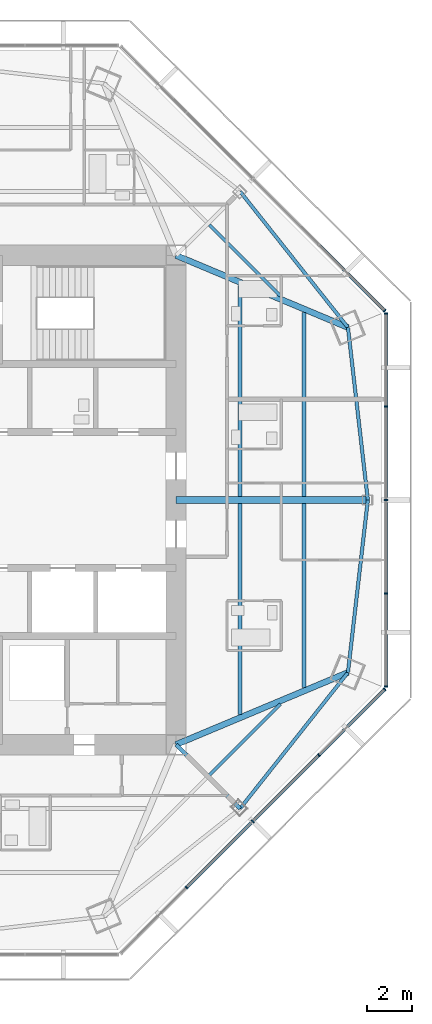
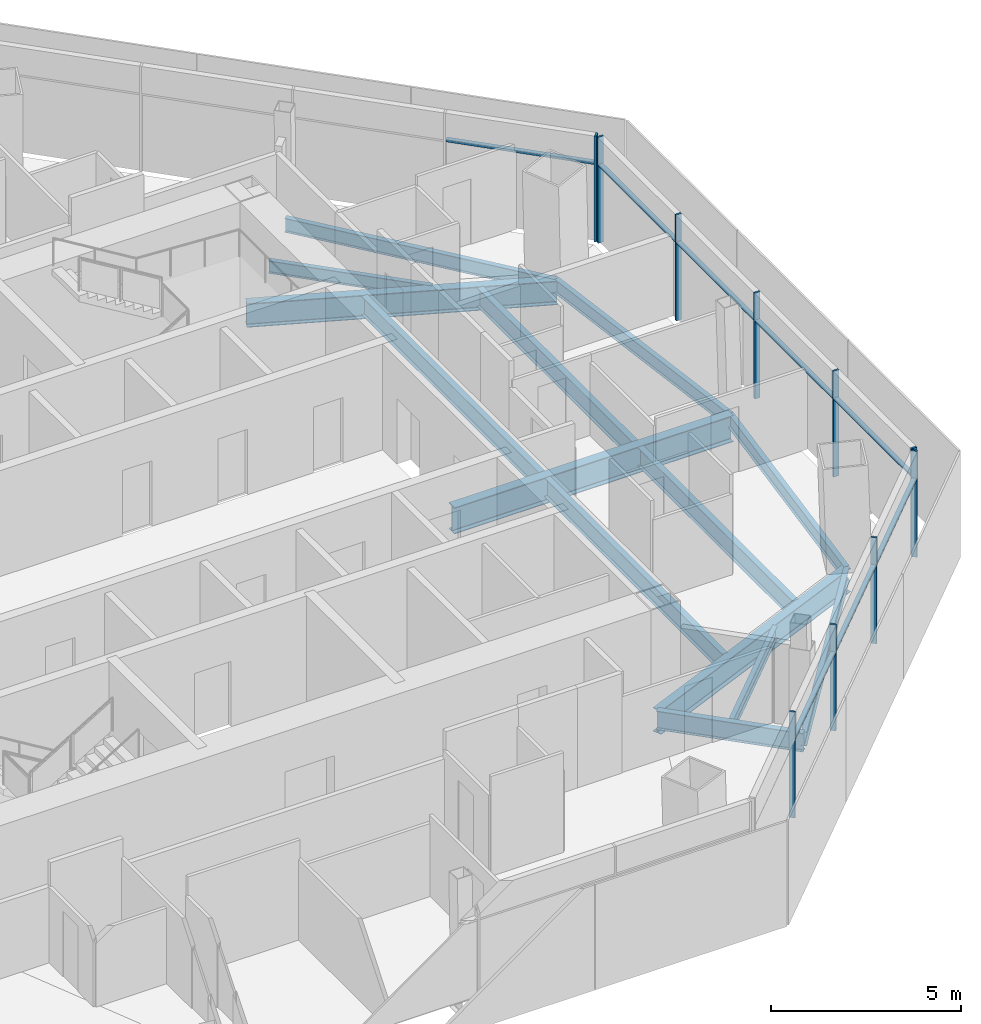
# One storey, part 5 of 15: 18 members, 14 beams, 3 elements without a shape of their own.
"""IFC4 building model written with IfcOpenShell, lengths in metres."""

from ifc_helpers import new_model, si_unit, direction, frame, origin, origin_2d, place, context, subcontext, project, spatial, rectangle, i_section, extrude, source, transform, mapped, material, material_profile, profile_set, type_object, type_shapes, element, aggregate, save


model = new_model("IFC4")

# Units and contexts
model_context = context("Model", 3, precision=1e-05, world=origin(), true_north=direction((0.0, 1.0)))
body_context = subcontext(model_context, "Body", "Model", "MODEL_VIEW")
ifc_project = project(units=[si_unit("LENGTHUNIT", "METRE"), si_unit("AREAUNIT", "SQUARE_METRE"), si_unit("VOLUMEUNIT", "CUBIC_METRE"), si_unit("PLANEANGLEUNIT", "RADIAN"), si_unit("MASSUNIT", "GRAM", prefix="KILO")], contexts=[model_context])

# Site, building, storey
site_placement = place(None, origin())
site = spatial("IfcSite", under=ifc_project, at=site_placement, CompositionType="ELEMENT")
building_placement = place(site_placement, origin())
building = spatial("IfcBuilding", under=site, at=building_placement, Name="Mashrafa Tower", CompositionType="ELEMENT")
storey_placement = place(building_placement, frame((0.0, 0.0, 281.0)))
storey = spatial("IfcBuildingStorey", under=building, at=storey_placement, Name="L68", CompositionType="ELEMENT", Elevation=281.0)

# Beams
ifc_material_1 = material(Name="Steel ASTM A992", Category="steel")
ifc_material_profile_1 = material_profile(ifc_material_1, i_section(OverallWidth=0.140380859375, OverallDepth=0.40380859375, WebThickness=0.007080078125, FlangeThickness=0.01123046875, FilletRadius=0.01025390625, at=origin_2d()), Name="W16X31")
ifc_profile_set_1 = profile_set([ifc_material_profile_1], Name="Steel ASTM A992")
beam_type_1 = type_object("IfcBeamType", Name="Beam W16X31", PredefinedType="BEAM", material=ifc_profile_set_1)
for number, where, z_axis, x_axis, name in (
    (1, (12.276611328125, 12.150390625, -0.40185546875), (0.707106781187, -0.707106781187, 0.0), (0.707106781187, 0.707106781187, 0.0), "Floor beam L68 019"),
    (2, (15.41650390625, -9.010498046875, -0.40185546875), (-0.707106781187, -0.707106781187, 0.0), (0.707106781187, -0.707106781187, 0.0), "Floor beam L68 022"),
):
    element("IfcBeam", number, at=place(storey_placement, frame(where, z_axis=z_axis, x_axis=x_axis)), inside=storey, type_object=beam_type_1, Name=name, PredefinedType="BEAM", context=body_context, shape_type="SweptSolid", body=[
        extrude(i_section(OverallWidth=0.140380859375, OverallDepth=0.40380859375, WebThickness=0.007080078125, FlangeThickness=0.01123046875, FilletRadius=0.01025390625, at=origin_2d()), origin(), (0.0, 0.0, 1.0), 4.4404296875),
    ])
ifc_material_2 = material(Name="Steel ASTM A992", Category="steel")
ifc_material_profile_2 = material_profile(ifc_material_2, i_section(OverallWidth=0.15234375, OverallDepth=0.449462890625, WebThickness=0.007568359375, FlangeThickness=0.0107421875, FilletRadius=0.01025390625, at=origin_2d()), Name="W18X35")
ifc_profile_set_2 = profile_set([ifc_material_profile_2], Name="Steel ASTM A992")
beam_type_2 = type_object("IfcBeamType", Name="Beam W18X35", PredefinedType="BEAM", material=ifc_profile_set_2)
for number, where, z_axis, x_axis, name in (
    (3, (13.626953125, -13.626953125, -0.4248046875), (0.621467485512, 0.783439955868, 0.0), (-0.783439955868, 0.621467485512, 0.0), "Spandrel beam L68 052"),
    (4, (18.39306640625, -7.61865234375, -0.4248046875), (0.114508109387, 0.993422313462, 0.0), (-0.993422313462, 0.114508109387, 0.0), "Spandrel beam L68 054"),
    (5, (18.39306640625, 7.61865234375, -0.4248046875), (-0.621467485512, 0.783439955868, 0.0), (-0.783439955868, -0.621467485512, 0.0), "Spandrel beam L68 055"),
    (6, (19.271240234375, 0.0, -0.4248046875), (-0.114508109387, 0.993422313462, 0.0), (-0.993422313462, -0.114508109387, 0.0), "Spandrel beam L68 056"),
):
    element("IfcBeam", number, at=place(storey_placement, frame(where, z_axis=z_axis, x_axis=x_axis)), inside=storey, type_object=beam_type_2, Name=name, PredefinedType="BEAM", context=body_context, shape_type="SweptSolid", body=[
        extrude(i_section(OverallWidth=0.15234375, OverallDepth=0.449462890625, WebThickness=0.007568359375, FlangeThickness=0.0107421875, FilletRadius=0.01025390625, at=origin_2d()), origin(), (0.0, 0.0, 1.0), 7.669189453125),
    ])
ifc_material_3 = material(Name="Steel ASTM A992", Category="steel")
ifc_material_profile_3 = material_profile(ifc_material_3, i_section(OverallWidth=0.177978515625, OverallDepth=0.599365234375, WebThickness=0.010009765625, FlangeThickness=0.012939453125, FilletRadius=0.012939453125, at=origin_2d()), Name="W24X55")
ifc_profile_set_3 = profile_set([ifc_material_profile_3], Name="Steel ASTM A992")
beam_type_3 = type_object("IfcBeamType", Name="Beam W24X55", PredefinedType="BEAM", material=ifc_profile_set_3)
for number, where, z_axis, x_axis, name in (
    (7, (13.623779296875, -0.14599609375, -0.499755859375), (0.0, -1.0, 0.0), (1.0, 0.0, 0.0), "Floor beam L68 020"),
    (8, (13.623779296875, 9.472412109375, -0.499755859375), (0.0, -1.0, 0.0), (1.0, 0.0, 0.0), "Floor beam L68 021"),
):
    element("IfcBeam", number, at=place(storey_placement, frame(where, z_axis=z_axis, x_axis=x_axis)), inside=storey, type_object=beam_type_3, Name=name, PredefinedType="BEAM", context=body_context, shape_type="SweptSolid", body=[
        extrude(i_section(OverallWidth=0.177978515625, OverallDepth=0.599365234375, WebThickness=0.010009765625, FlangeThickness=0.012939453125, FilletRadius=0.012939453125, at=origin_2d()), origin(), (0.0, 0.0, 1.0), 9.326416015625),
    ])
for number, where, z_axis, x_axis, name in (
    (9, (16.447509765625, -0.14599609375, -0.499755859375), (0.0, -1.0, 0.0), (1.0, 0.0, 0.0), "Floor beam L68 023"),
    (10, (16.447509765625, 8.289306640625, -0.499755859375), (0.0, -1.0, 0.0), (1.0, 0.0, 0.0), "Floor beam L68 024"),
):
    element("IfcBeam", number, at=place(storey_placement, frame(where, z_axis=z_axis, x_axis=x_axis)), inside=storey, type_object=beam_type_3, Name=name, PredefinedType="BEAM", context=body_context, shape_type="SweptSolid", body=[
        extrude(i_section(OverallWidth=0.177978515625, OverallDepth=0.599365234375, WebThickness=0.010009765625, FlangeThickness=0.012939453125, FilletRadius=0.012939453125, at=origin_2d()), origin(), (0.0, 0.0, 1.0), 8.143310546875),
    ])
beam_1_placement = place(storey_placement, frame((10.800048828125, -10.800048828125, -0.499755859375), z_axis=(0.707106781187, -0.707106781187, 0.0), x_axis=(0.707106781187, 0.707106781187, 0.0)))
element("IfcBeam", 11, at=beam_1_placement, inside=storey, type_object=beam_type_3, Name="Radial girder L68 035", PredefinedType="BEAM", context=body_context, shape_type="SweptSolid", body=[
    extrude(i_section(OverallWidth=0.177978515625, OverallDepth=0.599365234375, WebThickness=0.010009765625, FlangeThickness=0.012939453125, FilletRadius=0.012939453125, at=origin_2d()), origin(), (0.0, 0.0, 1.0), 3.997802734375),
])
ifc_material_4 = material(Name="Steel ASTM A992", Category="steel")
ifc_material_profile_4 = material_profile(ifc_material_4, i_section(OverallWidth=0.2666015625, OverallDepth=0.761962890625, WebThickness=0.014404296875, FlangeThickness=0.021484375, FilletRadius=0.0166015625, at=origin_2d()), Name="W30X116")
ifc_profile_set_4 = profile_set([ifc_material_profile_4], Name="Steel ASTM A992")
beam_type_4 = type_object("IfcBeamType", Name="Beam W30X116", PredefinedType="BEAM", material=ifc_profile_set_4)
for number, where, z_axis, x_axis, name in (
    (12, (10.800048828125, -10.800048828125, -0.5810546875), (0.922314428851, 0.386440285597, 0.0), (-0.386440285597, 0.922314428851, 0.0), "Radial girder L68 036"),
    (13, (10.800048828125, 10.800048828125, -0.5810546875), (0.922314428851, -0.386440285597, 0.0), (0.386440285597, 0.922314428851, 0.0), "Radial girder L68 040"),
):
    element("IfcBeam", number, at=place(storey_placement, frame(where, z_axis=z_axis, x_axis=x_axis)), inside=storey, type_object=beam_type_4, Name=name, PredefinedType="BEAM", context=body_context, shape_type="SweptSolid", body=[
        extrude(i_section(OverallWidth=0.2666015625, OverallDepth=0.761962890625, WebThickness=0.014404296875, FlangeThickness=0.021484375, FilletRadius=0.0166015625, at=origin_2d()), origin(), (0.0, 0.0, 1.0), 8.232666015625),
    ])
ifc_material_5 = material(Name="Steel ASTM A992", Category="steel")
ifc_material_profile_5 = material_profile(ifc_material_5, i_section(OverallWidth=0.2919921875, OverallDepth=0.845703125, WebThickness=0.015380859375, FlangeThickness=0.0244140625, FilletRadius=0.017333984375, at=origin_2d()), Name="W33X141")
ifc_profile_set_5 = profile_set([ifc_material_profile_5], Name="Steel ASTM A992")
beam_type_5 = type_object("IfcBeamType", Name="Beam W33X141", PredefinedType="BEAM", material=ifc_profile_set_5)
beam_2_placement = place(storey_placement, frame((10.800048828125, 0.0, -0.622802734375), z_axis=(1.0, 0.0, 0.0), x_axis=(0.0, 1.0, 0.0)))
element("IfcBeam", 14, at=beam_2_placement, inside=storey, type_object=beam_type_5, Name="Radial girder L68 037", PredefinedType="BEAM", context=body_context, shape_type="SweptSolid", body=[
    extrude(i_section(OverallWidth=0.2919921875, OverallDepth=0.845703125, WebThickness=0.015380859375, FlangeThickness=0.0244140625, FilletRadius=0.017333984375, at=origin_2d()), origin(), (0.0, 0.0, 1.0), 8.47119140625),
])

# Curtain wall, members
ifc_material_6 = material(Name="Unitised aluminium curtain wall", Category="aluminium")
curtain_wall_type = type_object("IfcCurtainWallType", Name="Apartment curtain wall, zone 4 CW-D 160 deep", PredefinedType="NOTDEFINED", material=ifc_material_6)
curtain_wall_1_placement = place(storey_placement, origin())
curtain_wall_1 = element("IfcCurtainWall", 15, at=curtain_wall_1_placement, inside=storey, type_object=curtain_wall_type, Name="Apartment curtain wall, zone 4 L68 east", PredefinedType="NOTDEFINED")
ifc_material_7 = material(Name="Extruded aluminium mullion", Category="aluminium")
ifc_material_profile_6 = material_profile(ifc_material_7, rectangle(XDim=0.159912109375, YDim=0.06005859375, at=origin_2d()), Name="Mullion 60x160")
ifc_profile_set_6 = profile_set([ifc_material_profile_6], Name="Extruded aluminium mullion")
member_type_1 = type_object("IfcMemberType", Name="Mullion CW-D 60 x 160", PredefinedType="MULLION", material=ifc_profile_set_6)
shared_shape_1 = source(origin(), body_context, "Body", "SweptSolid", [
    extrude(rectangle(XDim=0.159912109375, YDim=0.06005859375, at=origin_2d()), origin(), (0.0, 0.0, 1.0), 3.39990234375),
])
type_shapes(member_type_1, [shared_shape_1])
member_1_placement = place(storey_placement, frame((20.065673828125, -8.23828125, 0.0), z_axis=(0.0, 0.0, 1.0), x_axis=(-1.0, 0.0, 0.0)))
member_1 = element("IfcMember", 16, at=member_1_placement, type_object=member_type_1, Name="CW-D mullion 1", PredefinedType="MULLION", context=body_context, shape_type="MappedRepresentation", body=[
    mapped(shared_shape_1, transform((0.0, 0.0, 0.0))),
])
member_2_placement = place(storey_placement, frame((20.065673828125, -4.13427734375, 0.0), z_axis=(0.0, 0.0, 1.0), x_axis=(-1.0, 0.0, 0.0)))
member_2 = element("IfcMember", 17, at=member_2_placement, type_object=member_type_1, Name="CW-D mullion 2", PredefinedType="MULLION", context=body_context, shape_type="MappedRepresentation", body=[
    mapped(shared_shape_1, transform((0.0, 0.0, 0.0))),
])
member_3_placement = place(storey_placement, frame((20.065673828125, 0.0, 0.0), z_axis=(0.0, 0.0, 1.0), x_axis=(-1.0, 0.0, 0.0)))
member_3 = element("IfcMember", 18, at=member_3_placement, type_object=member_type_1, Name="CW-D mullion 3", PredefinedType="MULLION", context=body_context, shape_type="MappedRepresentation", body=[
    mapped(shared_shape_1, transform((0.0, 0.0, 0.0))),
])
member_4_placement = place(storey_placement, frame((20.065673828125, 4.13427734375, 0.0), z_axis=(0.0, 0.0, 1.0), x_axis=(-1.0, 0.0, 0.0)))
member_4 = element("IfcMember", 19, at=member_4_placement, type_object=member_type_1, Name="CW-D mullion 4", PredefinedType="MULLION", context=body_context, shape_type="MappedRepresentation", body=[
    mapped(shared_shape_1, transform((0.0, 0.0, 0.0))),
])
member_5_placement = place(storey_placement, frame((20.065673828125, 8.23828125, 0.0), z_axis=(0.0, 0.0, 1.0), x_axis=(-1.0, 0.0, 0.0)))
member_5 = element("IfcMember", 20, at=member_5_placement, type_object=member_type_1, Name="CW-D mullion 5", PredefinedType="MULLION", context=body_context, shape_type="MappedRepresentation", body=[
    mapped(shared_shape_1, transform((0.0, 0.0, 0.0))),
])

# Curtain wall, member
curtain_wall_2_placement = place(storey_placement, origin())
curtain_wall_2 = element("IfcCurtainWall", 21, at=curtain_wall_2_placement, inside=storey, type_object=curtain_wall_type, Name="Apartment curtain wall, zone 4 L68 north-east", PredefinedType="NOTDEFINED")
member_6_placement = place(storey_placement, frame((20.013916015625, 8.36328125, 0.0), z_axis=(0.0, 0.0, 1.0), x_axis=(-0.707106781187, -0.707106781187, 0.0)))
member_6 = element("IfcMember", 22, at=member_6_placement, type_object=member_type_1, Name="CW-D mullion 1", PredefinedType="MULLION", context=body_context, shape_type="MappedRepresentation", body=[
    mapped(shared_shape_1, transform((0.0, 0.0, 0.0))),
])

# Curtain wall, members
curtain_wall_3_placement = place(storey_placement, origin())
curtain_wall_3 = element("IfcCurtainWall", 23, at=curtain_wall_3_placement, inside=storey, type_object=curtain_wall_type, Name="Apartment curtain wall, zone 4 L68 south-east", PredefinedType="NOTDEFINED")
member_7_placement = place(storey_placement, frame((11.26513671875, -17.11181640625, 0.0), z_axis=(0.0, 0.0, 1.0), x_axis=(-0.707106781187, 0.707106781187, 0.0)))
member_7 = element("IfcMember", 24, at=member_7_placement, type_object=member_type_1, Name="CW-D mullion 2", PredefinedType="MULLION", context=body_context, shape_type="MappedRepresentation", body=[
    mapped(shared_shape_1, transform((0.0, 0.0, 0.0))),
])
member_8_placement = place(storey_placement, frame((14.1884765625, -14.1884765625, 0.0), z_axis=(0.0, 0.0, 1.0), x_axis=(-0.707106781187, 0.707106781187, 0.0)))
member_8 = element("IfcMember", 25, at=member_8_placement, type_object=member_type_1, Name="CW-D mullion 3", PredefinedType="MULLION", context=body_context, shape_type="MappedRepresentation", body=[
    mapped(shared_shape_1, transform((0.0, 0.0, 0.0))),
])
member_9_placement = place(storey_placement, frame((17.11181640625, -11.26513671875, 0.0), z_axis=(0.0, 0.0, 1.0), x_axis=(-0.707106781187, 0.707106781187, 0.0)))
member_9 = element("IfcMember", 26, at=member_9_placement, type_object=member_type_1, Name="CW-D mullion 4", PredefinedType="MULLION", context=body_context, shape_type="MappedRepresentation", body=[
    mapped(shared_shape_1, transform((0.0, 0.0, 0.0))),
])
member_10_placement = place(storey_placement, frame((20.013916015625, -8.36328125, 0.0), z_axis=(0.0, 0.0, 1.0), x_axis=(-0.707106781187, 0.707106781187, 0.0)))
member_10 = element("IfcMember", 27, at=member_10_placement, type_object=member_type_1, Name="CW-D mullion 5", PredefinedType="MULLION", context=body_context, shape_type="MappedRepresentation", body=[
    mapped(shared_shape_1, transform((0.0, 0.0, 0.0))),
])

# Member
ifc_material_8 = material(Name="Extruded aluminium transom", Category="aluminium")
ifc_material_profile_7 = material_profile(ifc_material_8, rectangle(XDim=0.1279296875, YDim=0.074951171875, at=origin_2d()), Name="Transom 75x128")
ifc_profile_set_7 = profile_set([ifc_material_profile_7], Name="Extruded aluminium transom")
member_type_2 = type_object("IfcMemberType", Name="Transom CW-D 75 x 128", PredefinedType="MULLION", material=ifc_profile_set_7)
shared_shape_2 = source(origin(), body_context, "Body", "SweptSolid", [
    extrude(rectangle(XDim=0.1279296875, YDim=0.074951171875, at=origin_2d()), origin(), (0.0, 0.0, 1.0), 4.044189453125),
])
member_11_placement = place(storey_placement, frame((20.065673828125, -8.208251953125, 2.5), z_axis=(0.0, 1.0, 0.0), x_axis=(-1.0, 0.0, 0.0)))
member_11 = element("IfcMember", 28, at=member_11_placement, type_object=member_type_2, Name="CW-D transom 1", PredefinedType="MULLION", context=body_context, shape_type="MappedRepresentation", body=[
    mapped(shared_shape_2, transform((0.0, 0.0, 0.0))),
])

member_12_placement = place(storey_placement, frame((20.065673828125, 4.1640625, 2.5), z_axis=(0.0, 1.0, 0.0), x_axis=(-1.0, 0.0, 0.0)))
member_12 = element("IfcMember", 29, at=member_12_placement, type_object=member_type_2, Name="CW-D transom 4", PredefinedType="MULLION", context=body_context, shape_type="MappedRepresentation", body=[
    mapped(shared_shape_2, transform((0.0, 0.0, 0.0))),
])

member_13_placement = place(storey_placement, frame((19.99267578125, 8.38427734375, 2.5), z_axis=(-0.707076597131, 0.707136963954, 0.0), x_axis=(-0.707136963954, -0.707076597131, 0.0)))
member_13 = element("IfcMember", 30, at=member_13_placement, type_object=member_type_2, Name="CW-D transom 1", PredefinedType="MULLION", context=body_context, shape_type="MappedRepresentation", body=[
    mapped(shared_shape_2, transform((0.0, 0.0, 0.0))),
])

aggregate(curtain_wall_2, [member_6, member_13])

member_14_placement = place(storey_placement, frame((17.133056640625, -11.244140625, 2.5), z_axis=(0.707076597131, 0.707136963954, 0.0), x_axis=(-0.707136963954, 0.707076597131, 0.0)))
member_14 = element("IfcMember", 31, at=member_14_placement, type_object=member_type_2, Name="CW-D transom 4", PredefinedType="MULLION", context=body_context, shape_type="MappedRepresentation", body=[
    mapped(shared_shape_2, transform((0.0, 0.0, 0.0))),
])

shared_shape_3 = source(origin(), body_context, "Body", "SweptSolid", [
    extrude(rectangle(XDim=0.1279296875, YDim=0.074951171875, at=origin_2d()), origin(), (0.0, 0.0, 1.0), 4.07421875),
])
type_shapes(member_type_2, [shared_shape_2, shared_shape_3])
member_15_placement = place(storey_placement, frame((20.065673828125, -4.104248046875, 2.5), z_axis=(0.0, 1.0, 0.0), x_axis=(-1.0, 0.0, 0.0)))
member_15 = element("IfcMember", 32, at=member_15_placement, type_object=member_type_2, Name="CW-D transom 2", PredefinedType="MULLION", context=body_context, shape_type="MappedRepresentation", body=[
    mapped(shared_shape_3, transform((0.0, 0.0, 0.0))),
])

member_16_placement = place(storey_placement, frame((20.065673828125, 0.030029296875, 2.5), z_axis=(0.0, 1.0, 0.0), x_axis=(-1.0, 0.0, 0.0)))
member_16 = element("IfcMember", 33, at=member_16_placement, type_object=member_type_2, Name="CW-D transom 3", PredefinedType="MULLION", context=body_context, shape_type="MappedRepresentation", body=[
    mapped(shared_shape_3, transform((0.0, 0.0, 0.0))),
])

aggregate(curtain_wall_1, [member_1, member_2, member_3, member_4, member_5, member_11, member_15, member_16, member_12])

member_17_placement = place(storey_placement, frame((11.286376953125, -17.090576171875, 2.5), z_axis=(0.707106781187, 0.707106781187, 0.0), x_axis=(-0.707106781187, 0.707106781187, 0.0)))
member_17 = element("IfcMember", 34, at=member_17_placement, type_object=member_type_2, Name="CW-D transom 2", PredefinedType="MULLION", context=body_context, shape_type="MappedRepresentation", body=[
    mapped(shared_shape_3, transform((0.0, 0.0, 0.0))),
])

member_18_placement = place(storey_placement, frame((14.209716796875, -14.167236328125, 2.5), z_axis=(0.707106781187, 0.707106781187, 0.0), x_axis=(-0.707106781187, 0.707106781187, 0.0)))
member_18 = element("IfcMember", 35, at=member_18_placement, type_object=member_type_2, Name="CW-D transom 3", PredefinedType="MULLION", context=body_context, shape_type="MappedRepresentation", body=[
    mapped(shared_shape_3, transform((0.0, 0.0, 0.0))),
])

aggregate(curtain_wall_3, [member_7, member_8, member_9, member_10, member_17, member_18, member_14])

save(model, "model.ifc")
